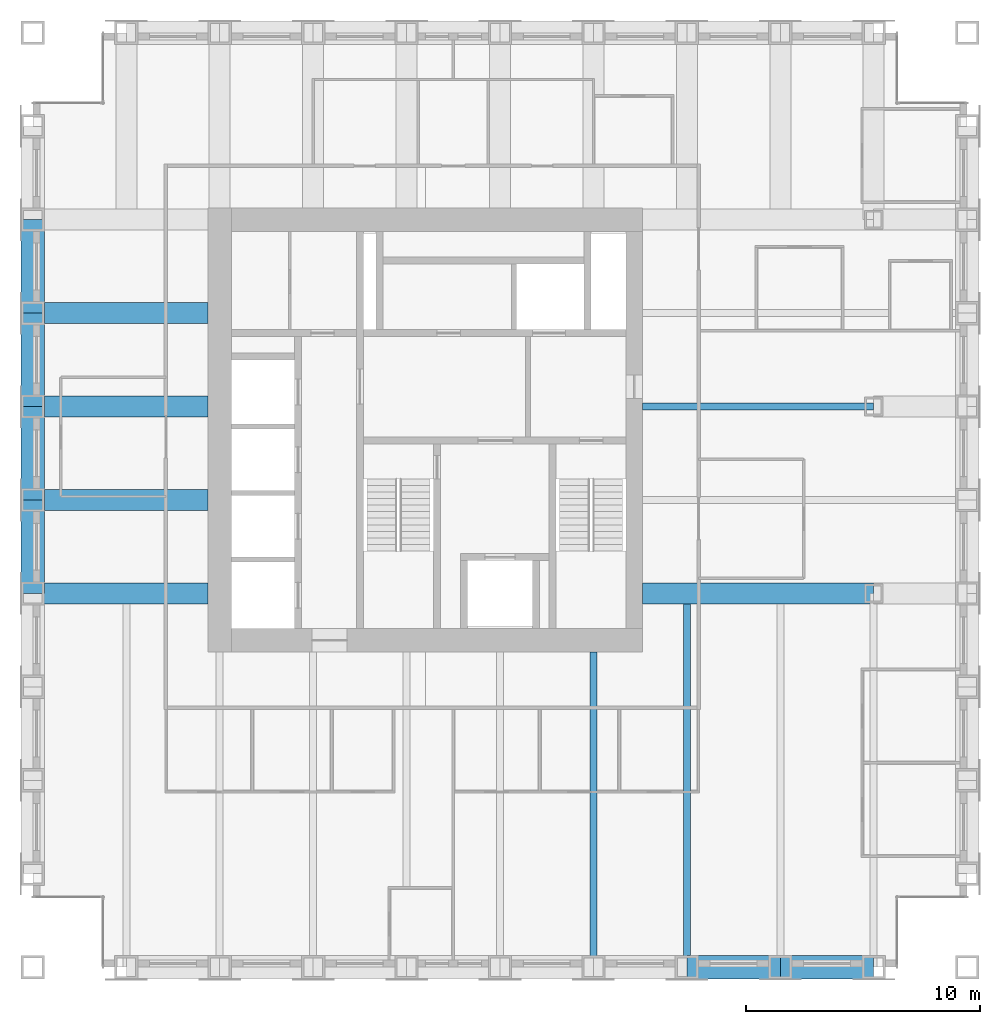
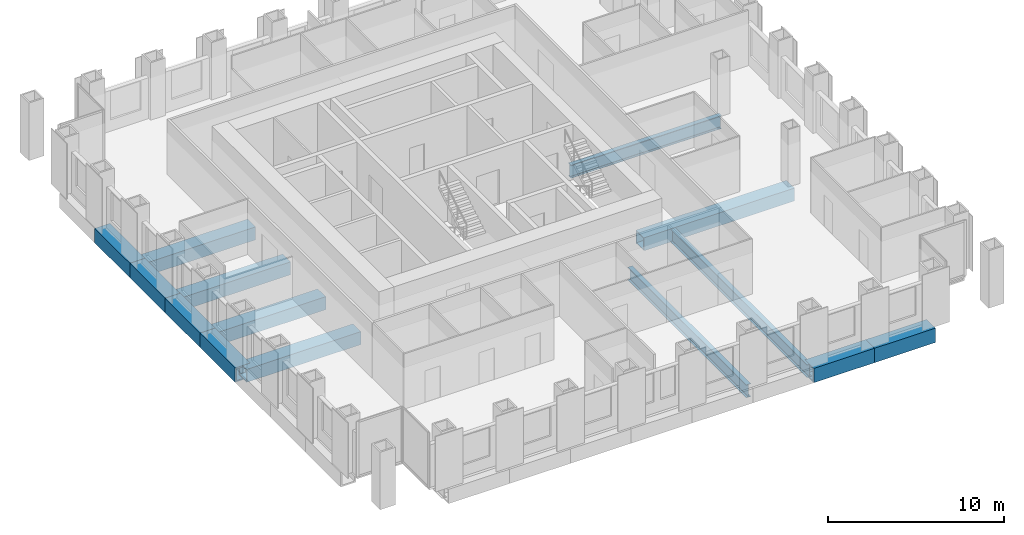
# One storey, part 3 of 13: 14 beams.
"""IFC4 building model written with IfcOpenShell, lengths in metres."""

from ifc_helpers import new_model, si_unit, direction, frame, origin, origin_2d, place, context, subcontext, project, spatial, hollow_rectangle, i_section, extrude, material, material_profile, profile_set, type_object, element, save


model = new_model("IFC4")

# Units and contexts
model_context = context("Model", 3, precision=1e-05, world=origin(), true_north=direction((0.0, 1.0)))
body_context = subcontext(model_context, "Body", "Model", "MODEL_VIEW")
ifc_project = project(units=[si_unit("LENGTHUNIT", "METRE"), si_unit("AREAUNIT", "SQUARE_METRE"), si_unit("VOLUMEUNIT", "CUBIC_METRE"), si_unit("PLANEANGLEUNIT", "RADIAN"), si_unit("MASSUNIT", "GRAM", prefix="KILO")], contexts=[model_context])

# Site, building, storey
site_placement = place(None, origin())
site = spatial("IfcSite", under=ifc_project, at=site_placement, CompositionType="ELEMENT")
building_placement = place(site_placement, origin())
building = spatial("IfcBuilding", under=site, at=building_placement, Name="Rimbunsela Tower", CompositionType="ELEMENT")
storey_placement = place(building_placement, frame((0.0, 0.0, 262.199951171875)))
storey = spatial("IfcBuildingStorey", under=building, at=storey_placement, Name="L63", CompositionType="ELEMENT", Elevation=262.199951171875)

# Beams
ifc_material_1 = material(Name="Steel BJ 55 (fy 410 MPa)", Category="steel")
ifc_material_profile_1 = material_profile(ifc_material_1, hollow_rectangle(XDim=1.0, YDim=1.0, WallThickness=0.10009765625, at=origin_2d()), Name="BOX 1000x1000x100")
ifc_profile_set_1 = profile_set([ifc_material_profile_1], Name="Steel BJ 55 (fy 410 MPa)")
beam_type_1 = type_object("IfcBeamType", Name="Beam BOX 1000x1000x100", PredefinedType="BEAM", material=ifc_profile_set_1)
for number, where, z_axis, x_axis, name in (
    (1, (10.0, 20.0, -0.64990234375), (0.0, 1.0, 0.0), (-1.0, 0.0, 0.0), "Beam B3 L63"),
    (2, (10.0, 24.0, -0.64990234375), (0.0, 1.0, 0.0), (-1.0, 0.0, 0.0), "Beam B3 L63"),
    (3, (10.0, 28.0, -0.64990234375), (0.0, 1.0, 0.0), (-1.0, 0.0, 0.0), "Beam B3 L63"),
    (4, (10.0, 32.0, -0.64990234375), (0.0, 1.0, 0.0), (-1.0, 0.0, 0.0), "Beam B3 L63"),
    (5, (38.0, 4.0, -0.64990234375), (1.0, 0.0, 0.0), (0.0, 1.0, 0.0), "Beam B3 L63"),
    (6, (42.0, 4.0, -0.64990234375), (1.0, 0.0, 0.0), (0.0, 1.0, 0.0), "Beam B3 L63"),
):
    element("IfcBeam", number, at=place(storey_placement, frame(where, z_axis=z_axis, x_axis=x_axis)), inside=storey, type_object=beam_type_1, Name=name, PredefinedType="BEAM", context=body_context, shape_type="SweptSolid", body=[
        extrude(hollow_rectangle(XDim=1.0, YDim=1.0, WallThickness=0.10009765625, at=origin_2d()), origin(), (0.0, 0.0, 1.0), 4.0),
    ])
ifc_material_2 = material(Name="Steel BJ 55 (fy 410 MPa)", Category="steel")
ifc_material_profile_2 = material_profile(ifc_material_2, hollow_rectangle(XDim=0.89990234375, YDim=0.89990234375, WallThickness=0.06005859375, at=origin_2d()), Name="BOX 900x900x60")
ifc_profile_set_2 = profile_set([ifc_material_profile_2], Name="Steel BJ 55 (fy 410 MPa)")
beam_type_2 = type_object("IfcBeamType", Name="Beam BOX 900x900x60", PredefinedType="BEAM", material=ifc_profile_set_2)
for number, where, z_axis, x_axis, name in (
    (7, (10.0, 20.0, -0.599853515625), (1.0, 0.0, 0.0), (0.0, 1.0, 0.0), "Beam B1 L63"),
    (8, (10.0, 24.0, -0.599853515625), (1.0, 0.0, 0.0), (0.0, 1.0, 0.0), "Beam B1 L63"),
    (9, (10.0, 28.0, -0.599853515625), (1.0, 0.0, 0.0), (0.0, 1.0, 0.0), "Beam B1 L63"),
    (10, (10.0, 32.0, -0.599853515625), (1.0, 0.0, 0.0), (0.0, 1.0, 0.0), "Beam B1 L63"),
):
    element("IfcBeam", number, at=place(storey_placement, frame(where, z_axis=z_axis, x_axis=x_axis)), inside=storey, type_object=beam_type_2, Name=name, PredefinedType="BEAM", context=body_context, shape_type="SweptSolid", body=[
        extrude(hollow_rectangle(XDim=0.89990234375, YDim=0.89990234375, WallThickness=0.06005859375, at=origin_2d()), origin(), (0.0, 0.0, 1.0), 7.5),
    ])
beam_1_placement = place(storey_placement, frame((36.10009765625, 20.0, -0.599853515625), z_axis=(1.0, 0.0, 0.0), x_axis=(0.0, 1.0, 0.0)))
element("IfcBeam", 11, at=beam_1_placement, inside=storey, type_object=beam_type_2, Name="Beam B1 L63", PredefinedType="BEAM", context=body_context, shape_type="SweptSolid", body=[
    extrude(hollow_rectangle(XDim=0.89990234375, YDim=0.89990234375, WallThickness=0.06005859375, at=origin_2d()), origin(), (0.0, 0.0, 1.0), 9.89990234375),
])
ifc_material_3 = material(Name="Steel BJ 55 (fy 410 MPa)", Category="steel")
ifc_material_profile_3 = material_profile(ifc_material_3, i_section(OverallWidth=0.300048828125, OverallDepth=0.89990234375, WebThickness=0.01611328125, FlangeThickness=0.028076171875, FilletRadius=0.028076171875, at=origin_2d()), Name="H 900x300x16x28")
ifc_profile_set_3 = profile_set([ifc_material_profile_3], Name="Steel BJ 55 (fy 410 MPa)")
beam_type_3 = type_object("IfcBeamType", Name="Beam H 900x300x16x28", PredefinedType="BEAM", material=ifc_profile_set_3)
beam_2_placement = place(storey_placement, frame((34.0, 4.0, -0.599853515625), z_axis=(0.0, 1.0, 0.0), x_axis=(-1.0, 0.0, 0.0)))
element("IfcBeam", 12, at=beam_2_placement, inside=storey, type_object=beam_type_3, Name="Beam B2 L63", PredefinedType="BEAM", context=body_context, shape_type="SweptSolid", body=[
    extrude(i_section(OverallWidth=0.300048828125, OverallDepth=0.89990234375, WebThickness=0.01611328125, FlangeThickness=0.028076171875, FilletRadius=0.028076171875, at=origin_2d()), origin(), (0.0, 0.0, 1.0), 13.5),
])
beam_3_placement = place(storey_placement, frame((36.10009765625, 28.0, -0.599853515625), z_axis=(1.0, 0.0, 0.0), x_axis=(0.0, 1.0, 0.0)))
element("IfcBeam", 13, at=beam_3_placement, inside=storey, type_object=beam_type_3, Name="Beam B2 L63", PredefinedType="BEAM", context=body_context, shape_type="SweptSolid", body=[
    extrude(i_section(OverallWidth=0.300048828125, OverallDepth=0.89990234375, WebThickness=0.01611328125, FlangeThickness=0.028076171875, FilletRadius=0.028076171875, at=origin_2d()), origin(), (0.0, 0.0, 1.0), 9.89990234375),
])
beam_4_placement = place(storey_placement, frame((38.0, 4.0, -0.599853515625), z_axis=(0.0, 1.0, 0.0), x_axis=(-1.0, 0.0, 0.0)))
element("IfcBeam", 14, at=beam_4_placement, inside=storey, type_object=beam_type_3, Name="Beam B2 L63", PredefinedType="BEAM", context=body_context, shape_type="SweptSolid", body=[
    extrude(i_section(OverallWidth=0.300048828125, OverallDepth=0.89990234375, WebThickness=0.01611328125, FlangeThickness=0.028076171875, FilletRadius=0.028076171875, at=origin_2d()), origin(), (0.0, 0.0, 1.0), 15.550048828125),
])

save(model, "model.ifc")
